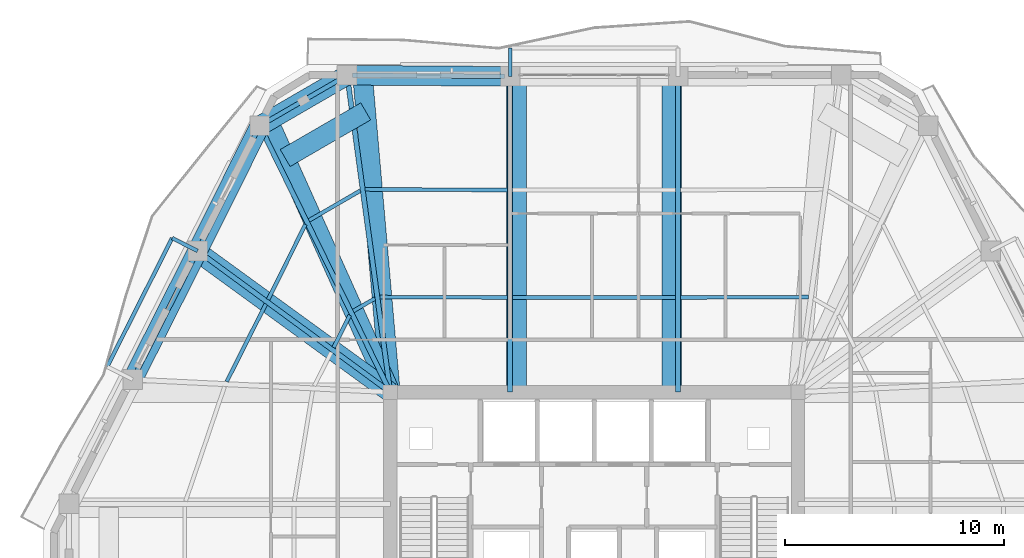
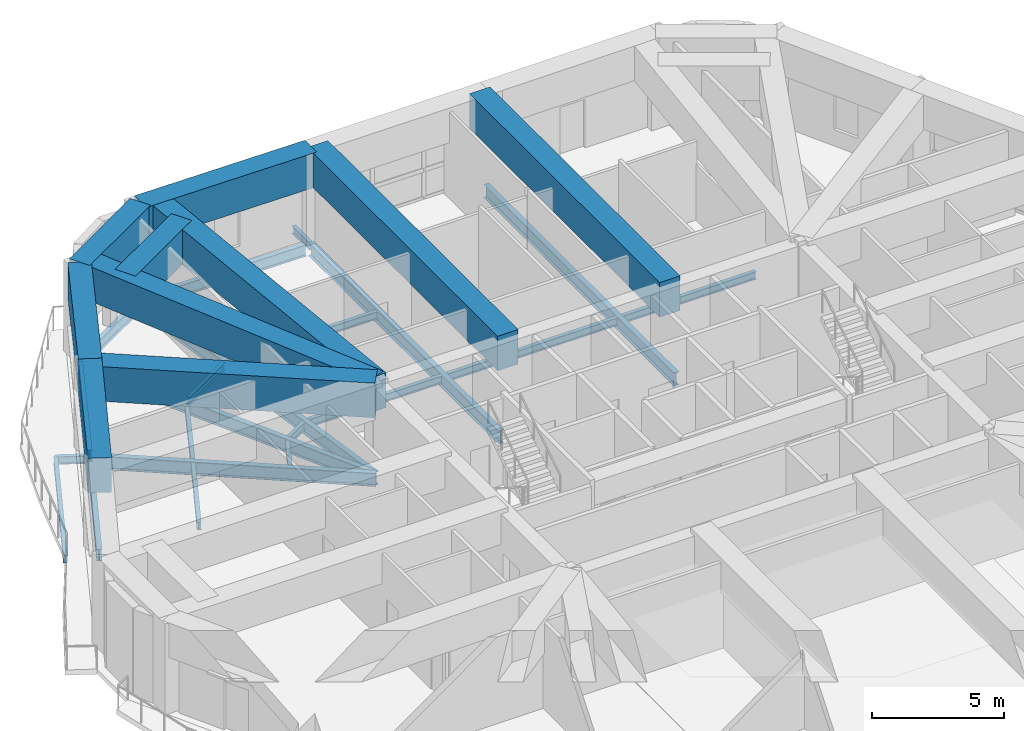
# One storey, part 8 of 20: 31 beams.
"""IFC4 building model written with IfcOpenShell, lengths in metres."""

from ifc_helpers import new_model, si_unit, direction, frame, origin, origin_2d, place, context, subcontext, project, spatial, rectangle, i_section, extrude, material, material_profile, profile_set, type_object, element, save


model = new_model("IFC4")

# Units and contexts
model_context = context("Model", 3, precision=1e-05, world=origin(), true_north=direction((0.0, 1.0)))
body_context = subcontext(model_context, "Body", "Model", "MODEL_VIEW")
ifc_project = project(units=[si_unit("LENGTHUNIT", "METRE"), si_unit("AREAUNIT", "SQUARE_METRE"), si_unit("VOLUMEUNIT", "CUBIC_METRE"), si_unit("PLANEANGLEUNIT", "RADIAN"), si_unit("MASSUNIT", "GRAM", prefix="KILO")], contexts=[model_context])

# Site, building, storey
site_placement = place(None, origin())
site = spatial("IfcSite", under=ifc_project, at=site_placement, CompositionType="ELEMENT")
building_placement = place(site_placement, origin())
building = spatial("IfcBuilding", under=site, at=building_placement, Name="Cinnabar Lancet Tower", CompositionType="ELEMENT")
storey_placement = place(building_placement, frame((0.0, 0.0, 167.699951171875)))
storey = spatial("IfcBuildingStorey", under=building, at=storey_placement, Name="L44", CompositionType="ELEMENT", Elevation=167.699951171875)

# Beams
ifc_material_1 = material(Name="Concrete C70/85", Category="concrete")
ifc_material_profile_1 = material_profile(ifc_material_1, rectangle(XDim=0.89990234375, YDim=1.60009765625, at=origin_2d()), Name="RC-BG 900x1600")
ifc_profile_set_1 = profile_set([ifc_material_profile_1], Name="Concrete C70/85")
beam_type_1 = type_object("IfcBeamType", Name="STR-BM-BG-1600", PredefinedType="BEAM", material=ifc_profile_set_1)
beam_1_placement = place(storey_placement, frame((28.568115234375, 47.60791015625, 3.400146484375), z_axis=(-0.999974627917, 0.007123448699, 0.0), x_axis=(-0.007123448699, -0.999974627917, 0.0)))
element("IfcBeam", 1, at=beam_1_placement, inside=storey, type_object=beam_type_1, Name="L45 Setback Outer Ring Girder 15", PredefinedType="BEAM", context=body_context, shape_type="SweptSolid", body=[
    extrude(rectangle(XDim=0.89990234375, YDim=1.60009765625, at=origin_2d()), origin(), (0.0, 0.0, 1.0), 7.437255859375),
])
beam_2_placement = place(storey_placement, frame((21.131103515625, 47.660888671875, 3.400146484375), z_axis=(-0.865186384258, -0.501450416786, 0.0), x_axis=(0.501450416786, -0.865186384258, 0.0)))
element("IfcBeam", 2, at=beam_2_placement, inside=storey, type_object=beam_type_1, Name="L45 Setback Outer Ring Girder 16", PredefinedType="BEAM", context=body_context, shape_type="SweptSolid", body=[
    extrude(rectangle(XDim=0.89990234375, YDim=1.60009765625, at=origin_2d()), origin(), (0.0, 0.0, 1.0), 4.600341796875),
])
beam_3_placement = place(storey_placement, frame((17.15087890625, 45.35400390625, 3.400146484375), z_axis=(-0.445374791183, -0.895344232895, 0.0), x_axis=(0.895344232895, -0.445374791183, 0.0)))
element("IfcBeam", 3, at=beam_3_placement, inside=storey, type_object=beam_type_1, Name="L45 Setback Outer Ring Girder 17", PredefinedType="BEAM", context=body_context, shape_type="SweptSolid", body=[
    extrude(rectangle(XDim=0.89990234375, YDim=1.60009765625, at=origin_2d()), origin(), (0.0, 0.0, 1.0), 6.376220703125),
])
beam_4_placement = place(storey_placement, frame((14.31103515625, 39.64501953125, 3.400146484375), z_axis=(-0.450685888317, -0.892682603209, 0.0), x_axis=(0.892682603209, -0.450685888317, 0.0)))
element("IfcBeam", 4, at=beam_4_placement, inside=storey, type_object=beam_type_1, Name="L45 Setback Outer Ring Girder 18", PredefinedType="BEAM", context=body_context, shape_type="SweptSolid", body=[
    extrude(rectangle(XDim=0.89990234375, YDim=1.60009765625, at=origin_2d()), origin(), (0.0, 0.0, 1.0), 6.57470703125),
])
for number, where, z_axis, x_axis, name in (
    (5, (35.943115234375, 47.60791015625, 3.400146484375), (0.0, -1.0, 0.0), (1.0, 0.0, 0.0), "L45 Setback Continuous Radial Transfer Girder 14"),
    (6, (28.85693359375, 47.60791015625, 3.400146484375), (0.0, -1.0, 0.0), (1.0, 0.0, 0.0), "L45 Setback Continuous Radial Transfer Girder 15"),
):
    element("IfcBeam", number, at=place(storey_placement, frame(where, z_axis=z_axis, x_axis=x_axis)), inside=storey, type_object=beam_type_1, Name=name, PredefinedType="BEAM", context=body_context, shape_type="SweptSolid", body=[
        extrude(rectangle(XDim=0.89990234375, YDim=1.60009765625, at=origin_2d()), origin(), (0.0, 0.0, 1.0), 14.407958984375),
    ])
beam_5_placement = place(storey_placement, frame((21.8359375, 47.64892578125, 3.400146484375), z_axis=(0.087158389196, -0.996194466554, 0.0), x_axis=(0.996194466554, 0.087158389196, 0.0)))
element("IfcBeam", 7, at=beam_5_placement, inside=storey, type_object=beam_type_1, Name="L45 Setback Continuous Radial Transfer Girder 16", PredefinedType="BEAM", context=body_context, shape_type="SweptSolid", body=[
    extrude(rectangle(XDim=0.89990234375, YDim=1.60009765625, at=origin_2d()), origin(), (0.0, 0.0, 1.0), 14.504150390625),
])
beam_6_placement = place(storey_placement, frame((17.613037109375, 45.423095703125, 3.400146484375), z_axis=(0.409535622917, -0.912294126673, 0.0), x_axis=(0.912294126673, 0.409535622917, 0.0)))
element("IfcBeam", 8, at=beam_6_placement, inside=storey, type_object=beam_type_1, Name="L45 Setback Continuous Radial Transfer Girder 17", PredefinedType="BEAM", context=body_context, shape_type="SweptSolid", body=[
    extrude(rectangle(XDim=0.89990234375, YDim=1.60009765625, at=origin_2d()), origin(), (0.0, 0.0, 1.0), 13.398193359375),
])
beam_7_placement = place(storey_placement, frame((14.31103515625, 39.595947265625, 3.400146484375), z_axis=(0.808563167393, -0.588409384982, 0.0), x_axis=(0.588409384982, 0.808563167393, 0.0)))
element("IfcBeam", 9, at=beam_7_placement, inside=storey, type_object=beam_type_1, Name="L45 Setback Continuous Radial Transfer Girder 18", PredefinedType="BEAM", context=body_context, shape_type="SweptSolid", body=[
    extrude(rectangle(XDim=0.89990234375, YDim=1.60009765625, at=origin_2d()), origin(), (0.0, 0.0, 1.0), 10.869873046875),
])
beam_8_placement = place(storey_placement, frame((21.97900390625, 46.010986328125, 3.400146484375), z_axis=(-0.865241216859, -0.501355798459, 0.0), x_axis=(0.501355798459, -0.865241216859, 0.0)))
element("IfcBeam", 10, at=beam_8_placement, inside=storey, type_object=beam_type_1, Name="L45 Setback Pilaster Transfer Chord 5", PredefinedType="BEAM", context=body_context, shape_type="SweptSolid", body=[
    extrude(rectangle(XDim=0.89990234375, YDim=1.60009765625, at=origin_2d()), origin(), (0.0, 0.0, 1.0), 4.246337890625),
])
ifc_material_2 = material(Name="Structural steel S355", Category="steel")
ifc_material_profile_2 = material_profile(ifc_material_2, i_section(OverallWidth=0.17138671875, OverallDepth=0.35498046875, WebThickness=0.00732421875, FlangeThickness=0.011474609375, FilletRadius=0.01025390625, at=origin_2d()), Name="UKB 356x171x51")
ifc_profile_set_2 = profile_set([ifc_material_profile_2], Name="Structural steel S355")
beam_type_2 = type_object("IfcBeamType", Name="STR-BM-JST-356", PredefinedType="JOIST", material=ifc_profile_set_2)
beam_9_placement = place(storey_placement, frame((42.176025390625, 37.5380859375, -0.387939453125), z_axis=(-0.999996629591, -0.002596306157, 0.0), x_axis=(0.002596306157, -0.999996629591, 0.0)))
element("IfcBeam", 11, at=beam_9_placement, inside=storey, type_object=beam_type_2, Name="L44 Secondary Floor Joist 34", PredefinedType="JOIST", context=body_context, shape_type="SweptSolid", body=[
    extrude(i_section(OverallWidth=0.17138671875, OverallDepth=0.35498046875, WebThickness=0.00732421875, FlangeThickness=0.011474609375, FilletRadius=0.01025390625, at=origin_2d()), origin(), (0.0, 0.0, 1.0), 5.830078125),
])
beam_10_placement = place(storey_placement, frame((36.117919921875, 37.52197265625, -0.387939453125), z_axis=(-1.0, 0.0, 0.0), x_axis=(0.0, -1.0, 0.0)))
element("IfcBeam", 12, at=beam_10_placement, inside=storey, type_object=beam_type_2, Name="L44 Secondary Floor Joist 36", PredefinedType="JOIST", context=body_context, shape_type="SweptSolid", body=[
    extrude(i_section(OverallWidth=0.17138671875, OverallDepth=0.35498046875, WebThickness=0.00732421875, FlangeThickness=0.011474609375, FilletRadius=0.01025390625, at=origin_2d()), origin(), (0.0, 0.0, 1.0), 7.43603515625),
])
beam_11_placement = place(storey_placement, frame((28.4541015625, 42.422119140625, -0.387939453125), z_axis=(-0.999987891549, 0.004921052359, 0.0), x_axis=(-0.004921052359, -0.999987891549, 0.0)))
element("IfcBeam", 13, at=beam_11_placement, inside=storey, type_object=beam_type_2, Name="L44 Secondary Floor Joist 37", PredefinedType="JOIST", context=body_context, shape_type="SweptSolid", body=[
    extrude(i_section(OverallWidth=0.17138671875, OverallDepth=0.35498046875, WebThickness=0.00732421875, FlangeThickness=0.011474609375, FilletRadius=0.01025390625, at=origin_2d()), origin(), (0.0, 0.0, 1.0), 6.4990234375),
])
beam_12_placement = place(storey_placement, frame((28.4541015625, 37.52294921875, -0.387939453125), z_axis=(-0.999996629591, 0.002596306157, 0.0), x_axis=(-0.002596306157, -0.999996629591, 0.0)))
element("IfcBeam", 14, at=beam_12_placement, inside=storey, type_object=beam_type_2, Name="L44 Secondary Floor Joist 38", PredefinedType="JOIST", context=body_context, shape_type="SweptSolid", body=[
    extrude(i_section(OverallWidth=0.17138671875, OverallDepth=0.35498046875, WebThickness=0.00732421875, FlangeThickness=0.011474609375, FilletRadius=0.01025390625, at=origin_2d()), origin(), (0.0, 0.0, 1.0), 5.830078125),
])
beam_13_placement = place(storey_placement, frame((21.73291015625, 42.39306640625, -0.387939453125), z_axis=(-0.865111063351, -0.50158035056, 0.0), x_axis=(0.50158035056, -0.865111063351, 0.0)))
element("IfcBeam", 15, at=beam_13_placement, inside=storey, type_object=beam_type_2, Name="L44 Secondary Floor Joist 39", PredefinedType="JOIST", context=body_context, shape_type="SweptSolid", body=[
    extrude(i_section(OverallWidth=0.17138671875, OverallDepth=0.35498046875, WebThickness=0.00732421875, FlangeThickness=0.011474609375, FilletRadius=0.01025390625, at=origin_2d()), origin(), (0.0, 0.0, 1.0), 2.705810546875),
])
beam_14_placement = place(storey_placement, frame((22.403076171875, 37.47607421875, -0.387939453125), z_axis=(-0.865640778484, -0.500665599602, 0.0), x_axis=(0.500665599602, -0.865640778484, 0.0)))
element("IfcBeam", 16, at=beam_14_placement, inside=storey, type_object=beam_type_2, Name="L44 Secondary Floor Joist 40", PredefinedType="JOIST", context=body_context, shape_type="SweptSolid", body=[
    extrude(i_section(OverallWidth=0.17138671875, OverallDepth=0.35498046875, WebThickness=0.00732421875, FlangeThickness=0.011474609375, FilletRadius=0.01025390625, at=origin_2d()), origin(), (0.0, 0.0, 1.0), 1.142578125),
])
beam_15_placement = place(storey_placement, frame((19.22900390625, 40.85009765625, -0.387939453125), z_axis=(-0.4452962175, -0.895383313827, 0.0), x_axis=(0.895383313827, -0.4452962175, 0.0)))
element("IfcBeam", 17, at=beam_15_placement, inside=storey, type_object=beam_type_2, Name="L44 Secondary Floor Joist 41", PredefinedType="JOIST", context=body_context, shape_type="SweptSolid", body=[
    extrude(i_section(OverallWidth=0.17138671875, OverallDepth=0.35498046875, WebThickness=0.00732421875, FlangeThickness=0.011474609375, FilletRadius=0.01025390625, at=origin_2d()), origin(), (0.0, 0.0, 1.0), 3.822021484375),
])
beam_16_placement = place(storey_placement, frame((21.2509765625, 36.717041015625, -0.387939453125), z_axis=(-0.445322008813, -0.895370486708, 0.0), x_axis=(0.895370486708, -0.445322008813, 0.0)))
element("IfcBeam", 18, at=beam_16_placement, inside=storey, type_object=beam_type_2, Name="L44 Secondary Floor Joist 42", PredefinedType="JOIST", context=body_context, shape_type="SweptSolid", body=[
    extrude(i_section(OverallWidth=0.17138671875, OverallDepth=0.35498046875, WebThickness=0.00732421875, FlangeThickness=0.011474609375, FilletRadius=0.01025390625, at=origin_2d()), origin(), (0.0, 0.0, 1.0), 1.65283203125),
])
beam_17_placement = place(storey_placement, frame((17.423095703125, 37.221923828125, -0.387939453125), z_axis=(-0.450656035687, -0.892697674187, 0.0), x_axis=(0.892697674187, -0.450656035687, 0.0)))
element("IfcBeam", 19, at=beam_17_placement, inside=storey, type_object=beam_type_2, Name="L44 Secondary Floor Joist 43", PredefinedType="JOIST", context=body_context, shape_type="SweptSolid", body=[
    extrude(i_section(OverallWidth=0.17138671875, OverallDepth=0.35498046875, WebThickness=0.00732421875, FlangeThickness=0.011474609375, FilletRadius=0.01025390625, at=origin_2d()), origin(), (0.0, 0.0, 1.0), 3.9677734375),
])
ifc_material_3 = material(Name="Structural steel S355", Category="steel")
ifc_material_profile_3 = material_profile(ifc_material_3, i_section(OverallWidth=0.209228515625, OverallDepth=0.533203125, WebThickness=0.010009765625, FlangeThickness=0.015625, FilletRadius=0.0126953125, at=origin_2d()), Name="UKB 533x210x92")
ifc_profile_set_3 = profile_set([ifc_material_profile_3], Name="Structural steel S355")
beam_type_3 = type_object("IfcBeamType", Name="STR-BM-SPN-533", PredefinedType="SPANDREL", material=ifc_profile_set_3)
beam_18_placement = place(storey_placement, frame((28.318115234375, 47.610107421875, -0.47705078125), z_axis=(-0.999975228682, 0.007038609338, 0.0), x_axis=(-0.007038609338, -0.999975228682, 0.0)))
element("IfcBeam", 20, at=beam_18_placement, inside=storey, type_object=beam_type_3, Name="L44 Perimeter Spandrel 15", PredefinedType="SPANDREL", context=body_context, shape_type="SweptSolid", body=[
    extrude(i_section(OverallWidth=0.209228515625, OverallDepth=0.533203125, WebThickness=0.010009765625, FlangeThickness=0.015625, FilletRadius=0.0126953125, at=origin_2d()), origin(), (0.0, 0.0, 1.0), 6.937255859375),
])
beam_19_placement = place(storey_placement, frame((20.9150390625, 47.535888671875, -0.47705078125), z_axis=(-0.865138129765, -0.5015336643, 0.0), x_axis=(0.5015336643, -0.865138129765, 0.0)))
element("IfcBeam", 21, at=beam_19_placement, inside=storey, type_object=beam_type_3, Name="L44 Perimeter Spandrel 16", PredefinedType="SPANDREL", context=body_context, shape_type="SweptSolid", body=[
    extrude(i_section(OverallWidth=0.209228515625, OverallDepth=0.533203125, WebThickness=0.010009765625, FlangeThickness=0.015625, FilletRadius=0.0126953125, at=origin_2d()), origin(), (0.0, 0.0, 1.0), 4.10107421875),
])
beam_20_placement = place(storey_placement, frame((17.0400390625, 45.1298828125, -0.47705078125), z_axis=(-0.445501068635, -0.89528140707, 0.0), x_axis=(0.89528140707, -0.445501068635, 0.0)))
element("IfcBeam", 22, at=beam_20_placement, inside=storey, type_object=beam_type_3, Name="L44 Perimeter Spandrel 17", PredefinedType="SPANDREL", context=body_context, shape_type="SweptSolid", body=[
    extrude(i_section(OverallWidth=0.209228515625, OverallDepth=0.533203125, WebThickness=0.010009765625, FlangeThickness=0.015625, FilletRadius=0.0126953125, at=origin_2d()), origin(), (0.0, 0.0, 1.0), 5.87646484375),
])
beam_21_placement = place(storey_placement, frame((14.197998046875, 39.422119140625, -0.47705078125), z_axis=(-0.450570325924, -0.892740937449, 0.0), x_axis=(0.892740937449, -0.450570325924, 0.0)))
element("IfcBeam", 23, at=beam_21_placement, inside=storey, type_object=beam_type_3, Name="L44 Perimeter Spandrel 18", PredefinedType="SPANDREL", context=body_context, shape_type="SweptSolid", body=[
    extrude(i_section(OverallWidth=0.209228515625, OverallDepth=0.533203125, WebThickness=0.010009765625, FlangeThickness=0.015625, FilletRadius=0.0126953125, at=origin_2d()), origin(), (0.0, 0.0, 1.0), 6.07470703125),
])
ifc_material_4 = material(Name="Structural steel S355", Category="steel")
ifc_material_profile_4 = material_profile(ifc_material_4, i_section(OverallWidth=0.228271484375, OverallDepth=0.607666015625, WebThickness=0.010986328125, FlangeThickness=0.017333984375, FilletRadius=0.0126953125, at=origin_2d()), Name="UKB 610x229x113")
ifc_profile_set_4 = profile_set([ifc_material_profile_4], Name="Structural steel S355")
beam_type_4 = type_object("IfcBeamType", Name="STR-BM-UKB610-113", PredefinedType="BEAM", material=ifc_profile_set_4)
beam_22_placement = place(storey_placement, frame((14.31103515625, 39.64501953125, -0.513916015625), z_axis=(0.806415678013, -0.591349096774, 0.0), x_axis=(0.591349096774, 0.806415678013, 0.0)))
element("IfcBeam", 24, at=beam_22_placement, inside=storey, type_object=beam_type_4, Name="L44 Corner Collector Girder 4", PredefinedType="BEAM", context=body_context, shape_type="SweptSolid", body=[
    extrude(i_section(OverallWidth=0.228271484375, OverallDepth=0.607666015625, WebThickness=0.010986328125, FlangeThickness=0.017333984375, FilletRadius=0.0126953125, at=origin_2d()), origin(), (0.0, 0.0, 1.0), 10.89892578125),
])
for number, where, z_axis, x_axis, name in (
    (25, (36.23193359375, 47.60791015625, -0.513916015625), (0.0, -1.0, 0.0), (1.0, 0.0, 0.0), "L44 Primary Floor Girder 14"),
    (26, (28.568115234375, 47.60791015625, -0.513916015625), (0.0, -1.0, 0.0), (1.0, 0.0, 0.0), "L44 Primary Floor Girder 15"),
):
    element("IfcBeam", number, at=place(storey_placement, frame(where, z_axis=z_axis, x_axis=x_axis)), inside=storey, type_object=beam_type_4, Name=name, PredefinedType="BEAM", context=body_context, shape_type="SweptSolid", body=[
        extrude(i_section(OverallWidth=0.228271484375, OverallDepth=0.607666015625, WebThickness=0.010986328125, FlangeThickness=0.017333984375, FilletRadius=0.0126953125, at=origin_2d()), origin(), (0.0, 0.0, 1.0), 14.407958984375),
    ])
beam_23_placement = place(storey_placement, frame((21.131103515625, 47.660888671875, -0.513916015625), z_axis=(0.134914632731, -0.990857225777, 0.0), x_axis=(0.990857225777, 0.134914632731, 0.0)))
element("IfcBeam", 27, at=beam_23_placement, inside=storey, type_object=beam_type_4, Name="L44 Primary Floor Girder 16", PredefinedType="BEAM", context=body_context, shape_type="SweptSolid", body=[
    extrude(i_section(OverallWidth=0.228271484375, OverallDepth=0.607666015625, WebThickness=0.010986328125, FlangeThickness=0.017333984375, FilletRadius=0.0126953125, at=origin_2d()), origin(), (0.0, 0.0, 1.0), 14.594482421875),
])
beam_24_placement = place(storey_placement, frame((17.15087890625, 45.35400390625, -0.513916015625), z_axis=(0.439641746189, -0.898173221048, 0.0), x_axis=(0.898173221048, 0.439641746189, 0.0)))
element("IfcBeam", 28, at=beam_24_placement, inside=storey, type_object=beam_type_4, Name="L44 Primary Floor Girder 17", PredefinedType="BEAM", context=body_context, shape_type="SweptSolid", body=[
    extrude(i_section(OverallWidth=0.228271484375, OverallDepth=0.607666015625, WebThickness=0.010986328125, FlangeThickness=0.017333984375, FilletRadius=0.0126953125, at=origin_2d()), origin(), (0.0, 0.0, 1.0), 13.531982421875),
])
ifc_material_5 = material(Name="Structural steel S355", Category="steel")
ifc_material_profile_5 = material_profile(ifc_material_5, i_section(OverallWidth=0.17138671875, OverallDepth=0.35498046875, WebThickness=0.00732421875, FlangeThickness=0.011474609375, FilletRadius=0.01025390625, at=origin_2d()), Name="UKB 356x171x51")
ifc_profile_set_5 = profile_set([ifc_material_profile_5], Name="Structural steel S355")
beam_type_5 = type_object("IfcBeamType", Name="STR-BM-WAV-OUT", PredefinedType="BEAM", material=ifc_profile_set_5)
for number, where, z_axis, x_axis, name in (
    (29, (28.568115234375, 47.60791015625, -0.41796875), (0.0, 1.0, 0.0), (-1.0, 0.0, 0.0), "L44 Face 4 Balcony Outlooker B"),
    (30, (14.31103515625, 39.64501953125, -0.41796875), (-0.892314203325, 0.451414845285, 0.0), (-0.451414845285, -0.892314203325, 0.0), "L44 Face 5 Balcony Outlooker A"),
):
    element("IfcBeam", number, at=place(storey_placement, frame(where, z_axis=z_axis, x_axis=x_axis)), inside=storey, type_object=beam_type_5, Name=name, PredefinedType="BEAM", context=body_context, shape_type="SweptSolid", body=[
        extrude(i_section(OverallWidth=0.17138671875, OverallDepth=0.35498046875, WebThickness=0.00732421875, FlangeThickness=0.011474609375, FilletRadius=0.01025390625, at=origin_2d()), origin(), (0.0, 0.0, 1.0), 1.300048828125),
    ])
ifc_material_6 = material(Name="Structural steel S355", Category="steel")
ifc_material_profile_6 = material_profile(ifc_material_6, i_section(OverallWidth=0.17138671875, OverallDepth=0.35498046875, WebThickness=0.00732421875, FlangeThickness=0.011474609375, FilletRadius=0.01025390625, at=origin_2d()), Name="UKB 356x171x51")
ifc_profile_set_6 = profile_set([ifc_material_profile_6], Name="Structural steel S355")
beam_type_6 = type_object("IfcBeamType", Name="STR-BM-WAV-TRIM", PredefinedType="SPANDREL", material=ifc_profile_set_6)
beam_25_placement = place(storey_placement, frame((13.15087890625, 40.23193359375, -0.41796875), z_axis=(-0.450671236139, -0.892690000457, 0.0), x_axis=(0.892690000457, -0.450671236139, 0.0)))
element("IfcBeam", 31, at=beam_25_placement, inside=storey, type_object=beam_type_6, Name="L44 Face 5 Balcony Edge Trimmer", PredefinedType="SPANDREL", context=body_context, shape_type="SweptSolid", body=[
    extrude(i_section(OverallWidth=0.17138671875, OverallDepth=0.35498046875, WebThickness=0.00732421875, FlangeThickness=0.011474609375, FilletRadius=0.01025390625, at=origin_2d()), origin(), (0.0, 0.0, 1.0), 6.574462890625),
])

save(model, "model.ifc")
